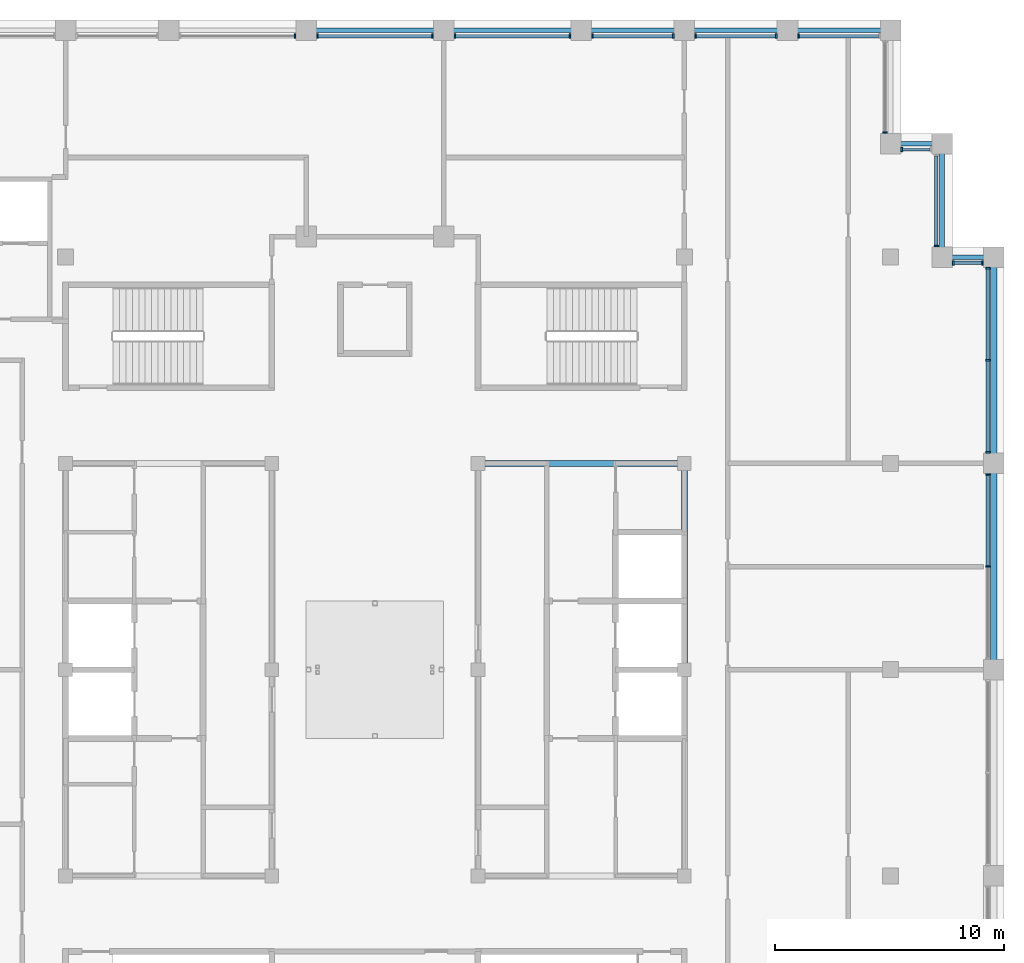
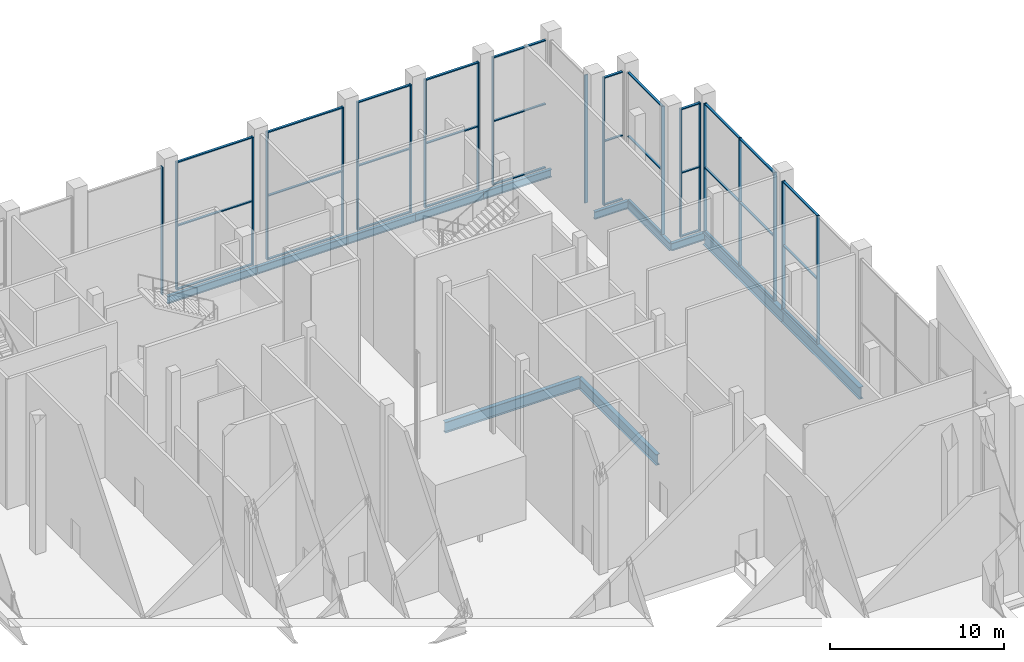
# One storey, part 6 of 16: 53 members, 12 beams, 12 elements without a shape of their own.
"""IFC4 building model written with IfcOpenShell, lengths in metres."""

from ifc_helpers import new_model, si_unit, direction, frame, origin, origin_2d, place, context, subcontext, project, spatial, rectangle, i_section, extrude, material, layer, layer_set, material_profile, profile_set, type_object, element, aggregate, save


model = new_model("IFC4")

# Units and contexts
model_context = context("Model", 3, precision=1e-05, world=origin(), true_north=direction((0.0, 1.0)))
body_context = subcontext(model_context, "Body", "Model", "MODEL_VIEW")
ifc_project = project(units=[si_unit("LENGTHUNIT", "METRE"), si_unit("AREAUNIT", "SQUARE_METRE"), si_unit("VOLUMEUNIT", "CUBIC_METRE"), si_unit("PLANEANGLEUNIT", "RADIAN"), si_unit("MASSUNIT", "GRAM", prefix="KILO")], contexts=[model_context])

# Site, building, storey
site_placement = place(None, origin())
site = spatial("IfcSite", under=ifc_project, at=site_placement, CompositionType="ELEMENT")
building_placement = place(site_placement, origin())
building = spatial("IfcBuilding", under=site, at=building_placement, Name="Corbelhall Arena Tower", CompositionType="ELEMENT")
storey_placement = place(building_placement, frame((0.0, 0.0, 366.0)))
storey = spatial("IfcBuildingStorey", under=building, at=storey_placement, Name="L80", CompositionType="ELEMENT", Elevation=366.0)

# Curtain wall, members
ifc_material_1 = material(Name="Aluminium black anodised", Category="aluminium")
ifc_layer = layer(ifc_material_1, 0.219970703125)
ifc_layer_set = layer_set([ifc_layer], Name="EV-CW2 Damper hall glazing")
curtain_wall_type = type_object("IfcCurtainWallType", Name="EV-CW2 Damper hall glazing", PredefinedType="NOTDEFINED", material=ifc_layer_set)
curtain_wall_1_placement = place(storey_placement, origin())
curtain_wall_1 = element("IfcCurtainWall", 1, at=curtain_wall_1_placement, inside=storey, type_object=curtain_wall_type, Name="Curtain wall CW2", PredefinedType="NOTDEFINED")
ifc_material_profile_1 = material_profile(ifc_material_1, rectangle(XDim=0.199951171875, YDim=0.074951171875, at=origin_2d()))
ifc_profile_set_1 = profile_set([ifc_material_profile_1], Name="Aluminium black anodised")
member_type_1 = type_object("IfcMemberType", Name="EV-CW2-MULLION", PredefinedType="MULLION", material=ifc_profile_set_1)
member_1_placement = place(storey_placement, frame((26.75, 4.5, 0.0), z_axis=(0.0, 0.0, 1.0), x_axis=(-1.0, 0.0, 0.0)))
member_1 = element("IfcMember", 2, at=member_1_placement, type_object=member_type_1, Name="CW2 mullion 2", PredefinedType="MULLION", context=body_context, shape_type="SweptSolid", body=[
    extrude(rectangle(XDim=0.199951171875, YDim=0.074951171875, at=origin_2d()), origin(), (0.0, 0.0, 1.0), 8.99951171875),
])
member_2_placement = place(storey_placement, frame((26.75, 8.512451171875, 0.0), z_axis=(0.0, 0.0, 1.0), x_axis=(-1.0, 0.0, 0.0)))
member_2 = element("IfcMember", 3, at=member_2_placement, type_object=member_type_1, Name="CW2 mullion 3", PredefinedType="MULLION", context=body_context, shape_type="SweptSolid", body=[
    extrude(rectangle(XDim=0.199951171875, YDim=0.074951171875, at=origin_2d()), origin(), (0.0, 0.0, 1.0), 8.99951171875),
])

curtain_wall_2_placement = place(storey_placement, origin())
curtain_wall_2 = element("IfcCurtainWall", 4, at=curtain_wall_2_placement, inside=storey, type_object=curtain_wall_type, Name="Curtain wall CW2", PredefinedType="NOTDEFINED")
member_3_placement = place(storey_placement, frame((26.75, 9.487548828125, 0.0), z_axis=(0.0, 0.0, 1.0), x_axis=(-1.0, 0.0, 0.0)))
member_3 = element("IfcMember", 5, at=member_3_placement, type_object=member_type_1, Name="CW2 mullion 1", PredefinedType="MULLION", context=body_context, shape_type="SweptSolid", body=[
    extrude(rectangle(XDim=0.199951171875, YDim=0.074951171875, at=origin_2d()), origin(), (0.0, 0.0, 1.0), 8.99951171875),
])
member_4_placement = place(storey_placement, frame((26.75, 13.5, 0.0), z_axis=(0.0, 0.0, 1.0), x_axis=(-1.0, 0.0, 0.0)))
member_4 = element("IfcMember", 6, at=member_4_placement, type_object=member_type_1, Name="CW2 mullion 2", PredefinedType="MULLION", context=body_context, shape_type="SweptSolid", body=[
    extrude(rectangle(XDim=0.199951171875, YDim=0.074951171875, at=origin_2d()), origin(), (0.0, 0.0, 1.0), 8.99951171875),
])
member_5_placement = place(storey_placement, frame((26.75, 17.512451171875, 0.0), z_axis=(0.0, 0.0, 1.0), x_axis=(-1.0, 0.0, 0.0)))
member_5 = element("IfcMember", 7, at=member_5_placement, type_object=member_type_1, Name="CW2 mullion 3", PredefinedType="MULLION", context=body_context, shape_type="SweptSolid", body=[
    extrude(rectangle(XDim=0.199951171875, YDim=0.074951171875, at=origin_2d()), origin(), (0.0, 0.0, 1.0), 8.99951171875),
])

curtain_wall_3_placement = place(storey_placement, origin())
curtain_wall_3 = element("IfcCurtainWall", 8, at=curtain_wall_3_placement, inside=storey, type_object=curtain_wall_type, Name="Curtain wall CW2B", PredefinedType="NOTDEFINED")
member_6_placement = place(storey_placement, frame((26.512451171875, 17.75, 0.0), z_axis=(0.0, 0.0, 1.0), x_axis=(0.0, -1.0, 0.0)))
member_6 = element("IfcMember", 9, at=member_6_placement, type_object=member_type_1, Name="CW2B mullion 1", PredefinedType="MULLION", context=body_context, shape_type="SweptSolid", body=[
    extrude(rectangle(XDim=0.199951171875, YDim=0.074951171875, at=origin_2d()), origin(), (0.0, 0.0, 1.0), 8.99951171875),
])
member_7_placement = place(storey_placement, frame((25.237548828125, 17.75, 0.0), z_axis=(0.0, 0.0, 1.0), x_axis=(0.0, -1.0, 0.0)))
member_7 = element("IfcMember", 10, at=member_7_placement, type_object=member_type_1, Name="CW2B mullion 2", PredefinedType="MULLION", context=body_context, shape_type="SweptSolid", body=[
    extrude(rectangle(XDim=0.199951171875, YDim=0.074951171875, at=origin_2d()), origin(), (0.0, 0.0, 1.0), 8.99951171875),
])

# Curtain wall, member
curtain_wall_4_placement = place(storey_placement, origin())
curtain_wall_4 = element("IfcCurtainWall", 11, at=curtain_wall_4_placement, inside=storey, type_object=curtain_wall_type, Name="Curtain wall CW2", PredefinedType="NOTDEFINED")
member_8_placement = place(storey_placement, frame((24.5, 18.487548828125, 0.0), z_axis=(0.0, 0.0, 1.0), x_axis=(-1.0, 0.0, 0.0)))
member_8 = element("IfcMember", 12, at=member_8_placement, type_object=member_type_1, Name="CW2 mullion 1", PredefinedType="MULLION", context=body_context, shape_type="SweptSolid", body=[
    extrude(rectangle(XDim=0.199951171875, YDim=0.074951171875, at=origin_2d()), origin(), (0.0, 0.0, 1.0), 8.99951171875),
])

curtain_wall_5_placement = place(storey_placement, origin())
curtain_wall_5 = element("IfcCurtainWall", 13, at=curtain_wall_5_placement, inside=storey, type_object=curtain_wall_type, Name="Curtain wall CW2B", PredefinedType="NOTDEFINED")
member_9_placement = place(storey_placement, frame((22.987548828125, 22.699951171875, 0.0), z_axis=(0.0, 0.0, 1.0), x_axis=(0.0, -1.0, 0.0)))
member_9 = element("IfcMember", 14, at=member_9_placement, type_object=member_type_1, Name="CW2B mullion 2", PredefinedType="MULLION", context=body_context, shape_type="SweptSolid", body=[
    extrude(rectangle(XDim=0.199951171875, YDim=0.074951171875, at=origin_2d()), origin(), (0.0, 0.0, 1.0), 8.99951171875),
])

curtain_wall_6_placement = place(storey_placement, origin())
curtain_wall_6 = element("IfcCurtainWall", 15, at=curtain_wall_6_placement, inside=storey, type_object=curtain_wall_type, Name="Curtain wall CW2", PredefinedType="NOTDEFINED")
member_10_placement = place(storey_placement, frame((22.25, 23.4375, 0.0), z_axis=(0.0, 0.0, 1.0), x_axis=(-1.0, 0.0, 0.0)))
member_10 = element("IfcMember", 16, at=member_10_placement, type_object=member_type_1, Name="CW2 mullion 1", PredefinedType="MULLION", context=body_context, shape_type="SweptSolid", body=[
    extrude(rectangle(XDim=0.199951171875, YDim=0.074951171875, at=origin_2d()), origin(), (0.0, 0.0, 1.0), 8.99951171875),
])
aggregate(curtain_wall_6, [member_10])

curtain_wall_7_placement = place(storey_placement, origin())
curtain_wall_7 = element("IfcCurtainWall", 17, at=curtain_wall_7_placement, inside=storey, type_object=curtain_wall_type, Name="Curtain wall CW2A", PredefinedType="NOTDEFINED")
member_11_placement = place(storey_placement, frame((18.487548828125, 27.64990234375, 0.0), z_axis=(0.0, 0.0, 1.0), x_axis=(0.0, -1.0, 0.0)))
member_11 = element("IfcMember", 18, at=member_11_placement, type_object=member_type_1, Name="CW2A mullion 2", PredefinedType="MULLION", context=body_context, shape_type="SweptSolid", body=[
    extrude(rectangle(XDim=0.199951171875, YDim=0.074951171875, at=origin_2d()), origin(), (0.0, 0.0, 1.0), 8.99951171875),
])

# Curtain wall, members
curtain_wall_8_placement = place(storey_placement, origin())
curtain_wall_8 = element("IfcCurtainWall", 19, at=curtain_wall_8_placement, inside=storey, type_object=curtain_wall_type, Name="Curtain wall CW2A", PredefinedType="NOTDEFINED")
member_12_placement = place(storey_placement, frame((17.512451171875, 27.64990234375, 0.0), z_axis=(0.0, 0.0, 1.0), x_axis=(0.0, -1.0, 0.0)))
member_12 = element("IfcMember", 20, at=member_12_placement, type_object=member_type_1, Name="CW2A mullion 1", PredefinedType="MULLION", context=body_context, shape_type="SweptSolid", body=[
    extrude(rectangle(XDim=0.199951171875, YDim=0.074951171875, at=origin_2d()), origin(), (0.0, 0.0, 1.0), 8.99951171875),
])
member_13_placement = place(storey_placement, frame((13.987548828125, 27.64990234375, 0.0), z_axis=(0.0, 0.0, 1.0), x_axis=(0.0, -1.0, 0.0)))
member_13 = element("IfcMember", 21, at=member_13_placement, type_object=member_type_1, Name="CW2A mullion 2", PredefinedType="MULLION", context=body_context, shape_type="SweptSolid", body=[
    extrude(rectangle(XDim=0.199951171875, YDim=0.074951171875, at=origin_2d()), origin(), (0.0, 0.0, 1.0), 8.99951171875),
])

curtain_wall_9_placement = place(storey_placement, origin())
curtain_wall_9 = element("IfcCurtainWall", 22, at=curtain_wall_9_placement, inside=storey, type_object=curtain_wall_type, Name="Curtain wall CW2A", PredefinedType="NOTDEFINED")
member_14_placement = place(storey_placement, frame((13.012451171875, 27.64990234375, 0.0), z_axis=(0.0, 0.0, 1.0), x_axis=(0.0, -1.0, 0.0)))
member_14 = element("IfcMember", 23, at=member_14_placement, type_object=member_type_1, Name="CW2A mullion 1", PredefinedType="MULLION", context=body_context, shape_type="SweptSolid", body=[
    extrude(rectangle(XDim=0.199951171875, YDim=0.074951171875, at=origin_2d()), origin(), (0.0, 0.0, 1.0), 8.99951171875),
])
member_15_placement = place(storey_placement, frame((9.487548828125, 27.64990234375, 0.0), z_axis=(0.0, 0.0, 1.0), x_axis=(0.0, -1.0, 0.0)))
member_15 = element("IfcMember", 24, at=member_15_placement, type_object=member_type_1, Name="CW2A mullion 2", PredefinedType="MULLION", context=body_context, shape_type="SweptSolid", body=[
    extrude(rectangle(XDim=0.199951171875, YDim=0.074951171875, at=origin_2d()), origin(), (0.0, 0.0, 1.0), 8.99951171875),
])

curtain_wall_10_placement = place(storey_placement, origin())
curtain_wall_10 = element("IfcCurtainWall", 25, at=curtain_wall_10_placement, inside=storey, type_object=curtain_wall_type, Name="Curtain wall CW2C", PredefinedType="NOTDEFINED")
member_16_placement = place(storey_placement, frame((8.512451171875, 27.64990234375, 0.0), z_axis=(0.0, 0.0, 1.0), x_axis=(0.0, -1.0, 0.0)))
member_16 = element("IfcMember", 26, at=member_16_placement, type_object=member_type_1, Name="CW2C mullion 1", PredefinedType="MULLION", context=body_context, shape_type="SweptSolid", body=[
    extrude(rectangle(XDim=0.199951171875, YDim=0.074951171875, at=origin_2d()), origin(), (0.0, 0.0, 1.0), 8.99951171875),
])
member_17_placement = place(storey_placement, frame((3.487548828125, 27.64990234375, 0.0), z_axis=(0.0, 0.0, 1.0), x_axis=(0.0, -1.0, 0.0)))
member_17 = element("IfcMember", 27, at=member_17_placement, type_object=member_type_1, Name="CW2C mullion 2", PredefinedType="MULLION", context=body_context, shape_type="SweptSolid", body=[
    extrude(rectangle(XDim=0.199951171875, YDim=0.074951171875, at=origin_2d()), origin(), (0.0, 0.0, 1.0), 8.99951171875),
])

curtain_wall_11_placement = place(storey_placement, origin())
curtain_wall_11 = element("IfcCurtainWall", 28, at=curtain_wall_11_placement, inside=storey, type_object=curtain_wall_type, Name="Curtain wall CW2C", PredefinedType="NOTDEFINED")
member_18_placement = place(storey_placement, frame((2.512451171875, 27.64990234375, 0.0), z_axis=(0.0, 0.0, 1.0), x_axis=(0.0, -1.0, 0.0)))
member_18 = element("IfcMember", 29, at=member_18_placement, type_object=member_type_1, Name="CW2C mullion 1", PredefinedType="MULLION", context=body_context, shape_type="SweptSolid", body=[
    extrude(rectangle(XDim=0.199951171875, YDim=0.074951171875, at=origin_2d()), origin(), (0.0, 0.0, 1.0), 8.99951171875),
])
member_19_placement = place(storey_placement, frame((-2.512451171875, 27.64990234375, 0.0), z_axis=(0.0, 0.0, 1.0), x_axis=(0.0, -1.0, 0.0)))
member_19 = element("IfcMember", 30, at=member_19_placement, type_object=member_type_1, Name="CW2C mullion 2", PredefinedType="MULLION", context=body_context, shape_type="SweptSolid", body=[
    extrude(rectangle(XDim=0.199951171875, YDim=0.074951171875, at=origin_2d()), origin(), (0.0, 0.0, 1.0), 8.99951171875),
])

# Curtain wall, member
curtain_wall_12_placement = place(storey_placement, origin())
curtain_wall_12 = element("IfcCurtainWall", 31, at=curtain_wall_12_placement, inside=storey, type_object=curtain_wall_type, Name="Curtain wall CW2C", PredefinedType="NOTDEFINED")
member_20_placement = place(storey_placement, frame((-3.487548828125, 27.64990234375, 0.0), z_axis=(0.0, 0.0, 1.0), x_axis=(0.0, -1.0, 0.0)))
member_20 = element("IfcMember", 32, at=member_20_placement, type_object=member_type_1, Name="CW2C mullion 1", PredefinedType="MULLION", context=body_context, shape_type="SweptSolid", body=[
    extrude(rectangle(XDim=0.199951171875, YDim=0.074951171875, at=origin_2d()), origin(), (0.0, 0.0, 1.0), 8.99951171875),
])
aggregate(curtain_wall_12, [member_20])

# Member
ifc_material_profile_2 = material_profile(ifc_material_1, rectangle(XDim=0.14990234375, YDim=0.074951171875, at=origin_2d()))
ifc_profile_set_2 = profile_set([ifc_material_profile_2], Name="Aluminium black anodised")
member_type_2 = type_object("IfcMemberType", Name="EV-CW2-TRANSOM", PredefinedType="USERDEFINED", material=ifc_profile_set_2)
member_21_placement = place(storey_placement, frame((26.75, 4.53759765625, 0.03759765625), z_axis=(0.0, 1.0, 0.0), x_axis=(-1.0, 0.0, 0.0)))
member_21 = element("IfcMember", 33, at=member_21_placement, type_object=member_type_2, Name="CW2 transom 2.1", ObjectType="transom", PredefinedType="USERDEFINED", context=body_context, shape_type="SweptSolid", body=[
    extrude(rectangle(XDim=0.14990234375, YDim=0.074951171875, at=origin_2d()), origin(), (0.0, 0.0, 1.0), 3.9375),
])

member_22_placement = place(storey_placement, frame((26.75, 4.53759765625, 4.499755859375), z_axis=(0.0, 1.0, 0.0), x_axis=(-1.0, 0.0, 0.0)))
member_22 = element("IfcMember", 34, at=member_22_placement, type_object=member_type_2, Name="CW2 transom 2.2", ObjectType="transom", PredefinedType="USERDEFINED", context=body_context, shape_type="SweptSolid", body=[
    extrude(rectangle(XDim=0.14990234375, YDim=0.074951171875, at=origin_2d()), origin(), (0.0, 0.0, 1.0), 3.9375),
])

member_23_placement = place(storey_placement, frame((26.75, 4.53759765625, 8.962158203125), z_axis=(0.0, 1.0, 0.0), x_axis=(-1.0, 0.0, 0.0)))
member_23 = element("IfcMember", 35, at=member_23_placement, type_object=member_type_2, Name="CW2 transom 2.3", ObjectType="transom", PredefinedType="USERDEFINED", context=body_context, shape_type="SweptSolid", body=[
    extrude(rectangle(XDim=0.14990234375, YDim=0.074951171875, at=origin_2d()), origin(), (0.0, 0.0, 1.0), 3.9375),
])

aggregate(curtain_wall_1, [member_1, member_2, member_21, member_22, member_23])

member_24_placement = place(storey_placement, frame((26.75, 9.52490234375, 0.03759765625), z_axis=(0.0, 1.0, 0.0), x_axis=(-1.0, 0.0, 0.0)))
member_24 = element("IfcMember", 36, at=member_24_placement, type_object=member_type_2, Name="CW2 transom 1.1", ObjectType="transom", PredefinedType="USERDEFINED", context=body_context, shape_type="SweptSolid", body=[
    extrude(rectangle(XDim=0.14990234375, YDim=0.074951171875, at=origin_2d()), origin(), (0.0, 0.0, 1.0), 3.9375),
])

member_25_placement = place(storey_placement, frame((26.75, 9.52490234375, 4.499755859375), z_axis=(0.0, 1.0, 0.0), x_axis=(-1.0, 0.0, 0.0)))
member_25 = element("IfcMember", 37, at=member_25_placement, type_object=member_type_2, Name="CW2 transom 1.2", ObjectType="transom", PredefinedType="USERDEFINED", context=body_context, shape_type="SweptSolid", body=[
    extrude(rectangle(XDim=0.14990234375, YDim=0.074951171875, at=origin_2d()), origin(), (0.0, 0.0, 1.0), 3.9375),
])

member_26_placement = place(storey_placement, frame((26.75, 9.52490234375, 8.962158203125), z_axis=(0.0, 1.0, 0.0), x_axis=(-1.0, 0.0, 0.0)))
member_26 = element("IfcMember", 38, at=member_26_placement, type_object=member_type_2, Name="CW2 transom 1.3", ObjectType="transom", PredefinedType="USERDEFINED", context=body_context, shape_type="SweptSolid", body=[
    extrude(rectangle(XDim=0.14990234375, YDim=0.074951171875, at=origin_2d()), origin(), (0.0, 0.0, 1.0), 3.9375),
])

member_27_placement = place(storey_placement, frame((26.75, 13.53759765625, 0.03759765625), z_axis=(0.0, 1.0, 0.0), x_axis=(-1.0, 0.0, 0.0)))
member_27 = element("IfcMember", 39, at=member_27_placement, type_object=member_type_2, Name="CW2 transom 2.1", ObjectType="transom", PredefinedType="USERDEFINED", context=body_context, shape_type="SweptSolid", body=[
    extrude(rectangle(XDim=0.14990234375, YDim=0.074951171875, at=origin_2d()), origin(), (0.0, 0.0, 1.0), 3.9375),
])

member_28_placement = place(storey_placement, frame((26.75, 13.53759765625, 4.499755859375), z_axis=(0.0, 1.0, 0.0), x_axis=(-1.0, 0.0, 0.0)))
member_28 = element("IfcMember", 40, at=member_28_placement, type_object=member_type_2, Name="CW2 transom 2.2", ObjectType="transom", PredefinedType="USERDEFINED", context=body_context, shape_type="SweptSolid", body=[
    extrude(rectangle(XDim=0.14990234375, YDim=0.074951171875, at=origin_2d()), origin(), (0.0, 0.0, 1.0), 3.9375),
])

member_29_placement = place(storey_placement, frame((26.75, 13.53759765625, 8.962158203125), z_axis=(0.0, 1.0, 0.0), x_axis=(-1.0, 0.0, 0.0)))
member_29 = element("IfcMember", 41, at=member_29_placement, type_object=member_type_2, Name="CW2 transom 2.3", ObjectType="transom", PredefinedType="USERDEFINED", context=body_context, shape_type="SweptSolid", body=[
    extrude(rectangle(XDim=0.14990234375, YDim=0.074951171875, at=origin_2d()), origin(), (0.0, 0.0, 1.0), 3.9375),
])

aggregate(curtain_wall_2, [member_3, member_4, member_5, member_24, member_25, member_26, member_27, member_28, member_29])

member_30_placement = place(storey_placement, frame((26.47509765625, 17.75, 0.03759765625), z_axis=(-1.0, 0.0, 0.0), x_axis=(0.0, -1.0, 0.0)))
member_30 = element("IfcMember", 42, at=member_30_placement, type_object=member_type_2, Name="CW2B transom 1.1", ObjectType="transom", PredefinedType="USERDEFINED", context=body_context, shape_type="SweptSolid", body=[
    extrude(rectangle(XDim=0.14990234375, YDim=0.074951171875, at=origin_2d()), origin(), (0.0, 0.0, 1.0), 1.2001953125),
])

member_31_placement = place(storey_placement, frame((26.47509765625, 17.75, 4.499755859375), z_axis=(-1.0, 0.0, 0.0), x_axis=(0.0, -1.0, 0.0)))
member_31 = element("IfcMember", 43, at=member_31_placement, type_object=member_type_2, Name="CW2B transom 1.2", ObjectType="transom", PredefinedType="USERDEFINED", context=body_context, shape_type="SweptSolid", body=[
    extrude(rectangle(XDim=0.14990234375, YDim=0.074951171875, at=origin_2d()), origin(), (0.0, 0.0, 1.0), 1.2001953125),
])

member_32_placement = place(storey_placement, frame((26.47509765625, 17.75, 8.962158203125), z_axis=(-1.0, 0.0, 0.0), x_axis=(0.0, -1.0, 0.0)))
member_32 = element("IfcMember", 44, at=member_32_placement, type_object=member_type_2, Name="CW2B transom 1.3", ObjectType="transom", PredefinedType="USERDEFINED", context=body_context, shape_type="SweptSolid", body=[
    extrude(rectangle(XDim=0.14990234375, YDim=0.074951171875, at=origin_2d()), origin(), (0.0, 0.0, 1.0), 1.2001953125),
])

aggregate(curtain_wall_3, [member_6, member_7, member_30, member_31, member_32])

member_33_placement = place(storey_placement, frame((24.5, 18.52490234375, 0.03759765625), z_axis=(0.0, 1.0, 0.0), x_axis=(-1.0, 0.0, 0.0)))
member_33 = element("IfcMember", 45, at=member_33_placement, type_object=member_type_2, Name="CW2 transom 1.1", ObjectType="transom", PredefinedType="USERDEFINED", context=body_context, shape_type="SweptSolid", body=[
    extrude(rectangle(XDim=0.14990234375, YDim=0.074951171875, at=origin_2d()), origin(), (0.0, 0.0, 1.0), 3.900146484375),
])

member_34_placement = place(storey_placement, frame((24.5, 18.52490234375, 4.499755859375), z_axis=(0.0, 1.0, 0.0), x_axis=(-1.0, 0.0, 0.0)))
member_34 = element("IfcMember", 46, at=member_34_placement, type_object=member_type_2, Name="CW2 transom 1.2", ObjectType="transom", PredefinedType="USERDEFINED", context=body_context, shape_type="SweptSolid", body=[
    extrude(rectangle(XDim=0.14990234375, YDim=0.074951171875, at=origin_2d()), origin(), (0.0, 0.0, 1.0), 3.900146484375),
])

member_35_placement = place(storey_placement, frame((24.5, 18.52490234375, 8.962158203125), z_axis=(0.0, 1.0, 0.0), x_axis=(-1.0, 0.0, 0.0)))
member_35 = element("IfcMember", 47, at=member_35_placement, type_object=member_type_2, Name="CW2 transom 1.3", ObjectType="transom", PredefinedType="USERDEFINED", context=body_context, shape_type="SweptSolid", body=[
    extrude(rectangle(XDim=0.14990234375, YDim=0.074951171875, at=origin_2d()), origin(), (0.0, 0.0, 1.0), 3.900146484375),
])

aggregate(curtain_wall_4, [member_8, member_33, member_34, member_35])

member_36_placement = place(storey_placement, frame((24.22509765625, 22.699951171875, 0.03759765625), z_axis=(-1.0, 0.0, 0.0), x_axis=(0.0, -1.0, 0.0)))
member_36 = element("IfcMember", 48, at=member_36_placement, type_object=member_type_2, Name="CW2B transom 1.1", ObjectType="transom", PredefinedType="USERDEFINED", context=body_context, shape_type="SweptSolid", body=[
    extrude(rectangle(XDim=0.14990234375, YDim=0.074951171875, at=origin_2d()), origin(), (0.0, 0.0, 1.0), 1.2001953125),
])

member_37_placement = place(storey_placement, frame((24.22509765625, 22.699951171875, 4.499755859375), z_axis=(-1.0, 0.0, 0.0), x_axis=(0.0, -1.0, 0.0)))
member_37 = element("IfcMember", 49, at=member_37_placement, type_object=member_type_2, Name="CW2B transom 1.2", ObjectType="transom", PredefinedType="USERDEFINED", context=body_context, shape_type="SweptSolid", body=[
    extrude(rectangle(XDim=0.14990234375, YDim=0.074951171875, at=origin_2d()), origin(), (0.0, 0.0, 1.0), 1.2001953125),
])

member_38_placement = place(storey_placement, frame((24.22509765625, 22.699951171875, 8.962158203125), z_axis=(-1.0, 0.0, 0.0), x_axis=(0.0, -1.0, 0.0)))
member_38 = element("IfcMember", 50, at=member_38_placement, type_object=member_type_2, Name="CW2B transom 1.3", ObjectType="transom", PredefinedType="USERDEFINED", context=body_context, shape_type="SweptSolid", body=[
    extrude(rectangle(XDim=0.14990234375, YDim=0.074951171875, at=origin_2d()), origin(), (0.0, 0.0, 1.0), 1.2001953125),
])

aggregate(curtain_wall_5, [member_9, member_36, member_37, member_38])

member_39_placement = place(storey_placement, frame((21.97509765625, 27.64990234375, 0.03759765625), z_axis=(-1.0, 0.0, 0.0), x_axis=(0.0, -1.0, 0.0)))
member_39 = element("IfcMember", 51, at=member_39_placement, type_object=member_type_2, Name="CW2A transom 1.1", ObjectType="transom", PredefinedType="USERDEFINED", context=body_context, shape_type="SweptSolid", body=[
    extrude(rectangle(XDim=0.14990234375, YDim=0.074951171875, at=origin_2d()), origin(), (0.0, 0.0, 1.0), 3.4501953125),
])

member_40_placement = place(storey_placement, frame((21.97509765625, 27.64990234375, 4.499755859375), z_axis=(-1.0, 0.0, 0.0), x_axis=(0.0, -1.0, 0.0)))
member_40 = element("IfcMember", 52, at=member_40_placement, type_object=member_type_2, Name="CW2A transom 1.2", ObjectType="transom", PredefinedType="USERDEFINED", context=body_context, shape_type="SweptSolid", body=[
    extrude(rectangle(XDim=0.14990234375, YDim=0.074951171875, at=origin_2d()), origin(), (0.0, 0.0, 1.0), 3.4501953125),
])

member_41_placement = place(storey_placement, frame((21.97509765625, 27.64990234375, 8.962158203125), z_axis=(-1.0, 0.0, 0.0), x_axis=(0.0, -1.0, 0.0)))
member_41 = element("IfcMember", 53, at=member_41_placement, type_object=member_type_2, Name="CW2A transom 1.3", ObjectType="transom", PredefinedType="USERDEFINED", context=body_context, shape_type="SweptSolid", body=[
    extrude(rectangle(XDim=0.14990234375, YDim=0.074951171875, at=origin_2d()), origin(), (0.0, 0.0, 1.0), 3.4501953125),
])

aggregate(curtain_wall_7, [member_11, member_39, member_40, member_41])

member_42_placement = place(storey_placement, frame((17.47509765625, 27.64990234375, 0.03759765625), z_axis=(-1.0, 0.0, 0.0), x_axis=(0.0, -1.0, 0.0)))
member_42 = element("IfcMember", 54, at=member_42_placement, type_object=member_type_2, Name="CW2A transom 1.1", ObjectType="transom", PredefinedType="USERDEFINED", context=body_context, shape_type="SweptSolid", body=[
    extrude(rectangle(XDim=0.14990234375, YDim=0.074951171875, at=origin_2d()), origin(), (0.0, 0.0, 1.0), 3.4501953125),
])

member_43_placement = place(storey_placement, frame((17.47509765625, 27.64990234375, 4.499755859375), z_axis=(-1.0, 0.0, 0.0), x_axis=(0.0, -1.0, 0.0)))
member_43 = element("IfcMember", 55, at=member_43_placement, type_object=member_type_2, Name="CW2A transom 1.2", ObjectType="transom", PredefinedType="USERDEFINED", context=body_context, shape_type="SweptSolid", body=[
    extrude(rectangle(XDim=0.14990234375, YDim=0.074951171875, at=origin_2d()), origin(), (0.0, 0.0, 1.0), 3.4501953125),
])

member_44_placement = place(storey_placement, frame((17.47509765625, 27.64990234375, 8.962158203125), z_axis=(-1.0, 0.0, 0.0), x_axis=(0.0, -1.0, 0.0)))
member_44 = element("IfcMember", 56, at=member_44_placement, type_object=member_type_2, Name="CW2A transom 1.3", ObjectType="transom", PredefinedType="USERDEFINED", context=body_context, shape_type="SweptSolid", body=[
    extrude(rectangle(XDim=0.14990234375, YDim=0.074951171875, at=origin_2d()), origin(), (0.0, 0.0, 1.0), 3.4501953125),
])

aggregate(curtain_wall_8, [member_12, member_13, member_42, member_43, member_44])

member_45_placement = place(storey_placement, frame((12.97509765625, 27.64990234375, 0.03759765625), z_axis=(-1.0, 0.0, 0.0), x_axis=(0.0, -1.0, 0.0)))
member_45 = element("IfcMember", 57, at=member_45_placement, type_object=member_type_2, Name="CW2A transom 1.1", ObjectType="transom", PredefinedType="USERDEFINED", context=body_context, shape_type="SweptSolid", body=[
    extrude(rectangle(XDim=0.14990234375, YDim=0.074951171875, at=origin_2d()), origin(), (0.0, 0.0, 1.0), 3.4501953125),
])

member_46_placement = place(storey_placement, frame((12.97509765625, 27.64990234375, 4.499755859375), z_axis=(-1.0, 0.0, 0.0), x_axis=(0.0, -1.0, 0.0)))
member_46 = element("IfcMember", 58, at=member_46_placement, type_object=member_type_2, Name="CW2A transom 1.2", ObjectType="transom", PredefinedType="USERDEFINED", context=body_context, shape_type="SweptSolid", body=[
    extrude(rectangle(XDim=0.14990234375, YDim=0.074951171875, at=origin_2d()), origin(), (0.0, 0.0, 1.0), 3.4501953125),
])

member_47_placement = place(storey_placement, frame((12.97509765625, 27.64990234375, 8.962158203125), z_axis=(-1.0, 0.0, 0.0), x_axis=(0.0, -1.0, 0.0)))
member_47 = element("IfcMember", 59, at=member_47_placement, type_object=member_type_2, Name="CW2A transom 1.3", ObjectType="transom", PredefinedType="USERDEFINED", context=body_context, shape_type="SweptSolid", body=[
    extrude(rectangle(XDim=0.14990234375, YDim=0.074951171875, at=origin_2d()), origin(), (0.0, 0.0, 1.0), 3.4501953125),
])

aggregate(curtain_wall_9, [member_14, member_15, member_45, member_46, member_47])

member_48_placement = place(storey_placement, frame((8.47509765625, 27.64990234375, 0.03759765625), z_axis=(-1.0, 0.0, 0.0), x_axis=(0.0, -1.0, 0.0)))
member_48 = element("IfcMember", 60, at=member_48_placement, type_object=member_type_2, Name="CW2C transom 1.1", ObjectType="transom", PredefinedType="USERDEFINED", context=body_context, shape_type="SweptSolid", body=[
    extrude(rectangle(XDim=0.14990234375, YDim=0.074951171875, at=origin_2d()), origin(), (0.0, 0.0, 1.0), 4.9501953125),
])

member_49_placement = place(storey_placement, frame((8.47509765625, 27.64990234375, 4.499755859375), z_axis=(-1.0, 0.0, 0.0), x_axis=(0.0, -1.0, 0.0)))
member_49 = element("IfcMember", 61, at=member_49_placement, type_object=member_type_2, Name="CW2C transom 1.2", ObjectType="transom", PredefinedType="USERDEFINED", context=body_context, shape_type="SweptSolid", body=[
    extrude(rectangle(XDim=0.14990234375, YDim=0.074951171875, at=origin_2d()), origin(), (0.0, 0.0, 1.0), 4.9501953125),
])

member_50_placement = place(storey_placement, frame((8.47509765625, 27.64990234375, 8.962158203125), z_axis=(-1.0, 0.0, 0.0), x_axis=(0.0, -1.0, 0.0)))
member_50 = element("IfcMember", 62, at=member_50_placement, type_object=member_type_2, Name="CW2C transom 1.3", ObjectType="transom", PredefinedType="USERDEFINED", context=body_context, shape_type="SweptSolid", body=[
    extrude(rectangle(XDim=0.14990234375, YDim=0.074951171875, at=origin_2d()), origin(), (0.0, 0.0, 1.0), 4.9501953125),
])

aggregate(curtain_wall_10, [member_16, member_17, member_48, member_49, member_50])

member_51_placement = place(storey_placement, frame((2.47509765625, 27.64990234375, 0.03759765625), z_axis=(-1.0, 0.0, 0.0), x_axis=(0.0, -1.0, 0.0)))
member_51 = element("IfcMember", 63, at=member_51_placement, type_object=member_type_2, Name="CW2C transom 1.1", ObjectType="transom", PredefinedType="USERDEFINED", context=body_context, shape_type="SweptSolid", body=[
    extrude(rectangle(XDim=0.14990234375, YDim=0.074951171875, at=origin_2d()), origin(), (0.0, 0.0, 1.0), 4.9501953125),
])

member_52_placement = place(storey_placement, frame((2.47509765625, 27.64990234375, 4.499755859375), z_axis=(-1.0, 0.0, 0.0), x_axis=(0.0, -1.0, 0.0)))
member_52 = element("IfcMember", 64, at=member_52_placement, type_object=member_type_2, Name="CW2C transom 1.2", ObjectType="transom", PredefinedType="USERDEFINED", context=body_context, shape_type="SweptSolid", body=[
    extrude(rectangle(XDim=0.14990234375, YDim=0.074951171875, at=origin_2d()), origin(), (0.0, 0.0, 1.0), 4.9501953125),
])

member_53_placement = place(storey_placement, frame((2.47509765625, 27.64990234375, 8.962158203125), z_axis=(-1.0, 0.0, 0.0), x_axis=(0.0, -1.0, 0.0)))
member_53 = element("IfcMember", 65, at=member_53_placement, type_object=member_type_2, Name="CW2C transom 1.3", ObjectType="transom", PredefinedType="USERDEFINED", context=body_context, shape_type="SweptSolid", body=[
    extrude(rectangle(XDim=0.14990234375, YDim=0.074951171875, at=origin_2d()), origin(), (0.0, 0.0, 1.0), 4.9501953125),
])

aggregate(curtain_wall_11, [member_18, member_19, member_51, member_52, member_53])

# Beams
ifc_material_2 = material(Name="Steel ASTM A992 Gr50", Category="steel")
ifc_material_profile_3 = material_profile(ifc_material_2, i_section(OverallWidth=0.2666015625, OverallDepth=0.761962890625, WebThickness=0.014404296875, FlangeThickness=0.021484375, at=origin_2d()))
ifc_profile_set_3 = profile_set([ifc_material_profile_3], Name="Steel ASTM A992 Gr50")
beam_type_1 = type_object("IfcBeamType", Name="ST-BEAM-W30x116", PredefinedType="BEAM", material=ifc_profile_set_3)
for number, where, z_axis, x_axis, name in (
    (66, (13.5, 0.0, -0.781494140625), (0.0, 1.0, 0.0), (-1.0, 0.0, 0.0), "Beam CEE 10"),
    (67, (4.5, 9.0, -0.781494140625), (1.0, 0.0, 0.0), (0.0, 1.0, 0.0), "Beam CEE 12"),
):
    element("IfcBeam", number, at=place(storey_placement, frame(where, z_axis=z_axis, x_axis=x_axis)), inside=storey, type_object=beam_type_1, Name=name, PredefinedType="BEAM", context=body_context, shape_type="SweptSolid", body=[
        extrude(i_section(OverallWidth=0.2666015625, OverallDepth=0.761962890625, WebThickness=0.014404296875, FlangeThickness=0.021484375, at=origin_2d()), origin(), (0.0, 0.0, 1.0), 9.0),
    ])
ifc_material_profile_4 = material_profile(ifc_material_2, i_section(OverallWidth=0.2099609375, OverallDepth=0.535888671875, WebThickness=0.010986328125, FlangeThickness=0.017333984375, at=origin_2d()))
ifc_profile_set_4 = profile_set([ifc_material_profile_4], Name="Steel ASTM A992 Gr50")
beam_type_2 = type_object("IfcBeamType", Name="ST-SPANDREL-W21x68", PredefinedType="SPANDREL", material=ifc_profile_set_4)
beam_1_placement = place(storey_placement, frame((3.0, 27.89990234375, -0.66845703125), z_axis=(1.0, 0.0, 0.0), x_axis=(0.0, 1.0, 0.0)))
element("IfcBeam", 68, at=beam_1_placement, inside=storey, type_object=beam_type_2, Name="Beam SP 6", PredefinedType="SPANDREL", context=body_context, shape_type="SweptSolid", body=[
    extrude(i_section(OverallWidth=0.2099609375, OverallDepth=0.535888671875, WebThickness=0.010986328125, FlangeThickness=0.017333984375, at=origin_2d()), origin(), (0.0, 0.0, 1.0), 6.0),
])
for number, where, z_axis, x_axis, name in (
    (69, (9.0, 27.89990234375, -0.66845703125), (1.0, 0.0, 0.0), (0.0, 1.0, 0.0), "Beam SP 7"),
    (70, (13.5, 27.89990234375, -0.66845703125), (1.0, 0.0, 0.0), (0.0, 1.0, 0.0), "Beam SP 8"),
    (71, (18.0, 27.89990234375, -0.66845703125), (1.0, 0.0, 0.0), (0.0, 1.0, 0.0), "Beam SP 9"),
):
    element("IfcBeam", number, at=place(storey_placement, frame(where, z_axis=z_axis, x_axis=x_axis)), inside=storey, type_object=beam_type_2, Name=name, PredefinedType="SPANDREL", context=body_context, shape_type="SweptSolid", body=[
        extrude(i_section(OverallWidth=0.2099609375, OverallDepth=0.535888671875, WebThickness=0.010986328125, FlangeThickness=0.017333984375, at=origin_2d()), origin(), (0.0, 0.0, 1.0), 4.5),
    ])
beam_2_placement = place(storey_placement, frame((-3.0, 27.89990234375, -0.66845703125), z_axis=(1.0, 0.0, 0.0), x_axis=(0.0, 1.0, 0.0)))
element("IfcBeam", 72, at=beam_2_placement, inside=storey, type_object=beam_type_2, Name="Beam SP 11", PredefinedType="SPANDREL", context=body_context, shape_type="SweptSolid", body=[
    extrude(i_section(OverallWidth=0.2099609375, OverallDepth=0.535888671875, WebThickness=0.010986328125, FlangeThickness=0.017333984375, at=origin_2d()), origin(), (0.0, 0.0, 1.0), 6.0),
])
beam_3_placement = place(storey_placement, frame((22.5, 22.949951171875, -0.66845703125), z_axis=(1.0, 0.0, 0.0), x_axis=(0.0, 1.0, 0.0)))
element("IfcBeam", 73, at=beam_3_placement, inside=storey, type_object=beam_type_2, Name="Beam SP 31", PredefinedType="SPANDREL", context=body_context, shape_type="SweptSolid", body=[
    extrude(i_section(OverallWidth=0.2099609375, OverallDepth=0.535888671875, WebThickness=0.010986328125, FlangeThickness=0.017333984375, at=origin_2d()), origin(), (0.0, 0.0, 1.0), 2.25),
])
beam_4_placement = place(storey_placement, frame((24.75, 22.949951171875, -0.66845703125), z_axis=(0.0, -1.0, 0.0), x_axis=(1.0, 0.0, 0.0)))
element("IfcBeam", 74, at=beam_4_placement, inside=storey, type_object=beam_type_2, Name="Beam SP 32", PredefinedType="SPANDREL", context=body_context, shape_type="SweptSolid", body=[
    extrude(i_section(OverallWidth=0.2099609375, OverallDepth=0.535888671875, WebThickness=0.010986328125, FlangeThickness=0.017333984375, at=origin_2d()), origin(), (0.0, 0.0, 1.0), 4.949951171875),
])
beam_5_placement = place(storey_placement, frame((24.75, 18.0, -0.66845703125), z_axis=(1.0, 0.0, 0.0), x_axis=(0.0, 1.0, 0.0)))
element("IfcBeam", 75, at=beam_5_placement, inside=storey, type_object=beam_type_2, Name="Beam SP 33", PredefinedType="SPANDREL", context=body_context, shape_type="SweptSolid", body=[
    extrude(i_section(OverallWidth=0.2099609375, OverallDepth=0.535888671875, WebThickness=0.010986328125, FlangeThickness=0.017333984375, at=origin_2d()), origin(), (0.0, 0.0, 1.0), 2.25),
])
ifc_material_profile_5 = material_profile(ifc_material_2, i_section(OverallWidth=0.2919921875, OverallDepth=0.845703125, WebThickness=0.015380859375, FlangeThickness=0.0244140625, at=origin_2d()))
ifc_profile_set_5 = profile_set([ifc_material_profile_5], Name="Steel ASTM A992 Gr50")
beam_type_3 = type_object("IfcBeamType", Name="ST-SPANDREL-W33x141", PredefinedType="SPANDREL", material=ifc_profile_set_5)
for number, where, z_axis, x_axis, name in (
    (76, (27.0, 9.0, -0.8232421875), (0.0, -1.0, 0.0), (1.0, 0.0, 0.0), "Beam SP 2"),
    (77, (27.0, 18.0, -0.8232421875), (0.0, -1.0, 0.0), (1.0, 0.0, 0.0), "Beam SP 3"),
):
    element("IfcBeam", number, at=place(storey_placement, frame(where, z_axis=z_axis, x_axis=x_axis)), inside=storey, type_object=beam_type_3, Name=name, PredefinedType="SPANDREL", context=body_context, shape_type="SweptSolid", body=[
        extrude(i_section(OverallWidth=0.2919921875, OverallDepth=0.845703125, WebThickness=0.015380859375, FlangeThickness=0.0244140625, at=origin_2d()), origin(), (0.0, 0.0, 1.0), 9.0),
    ])

save(model, "model.ifc")
